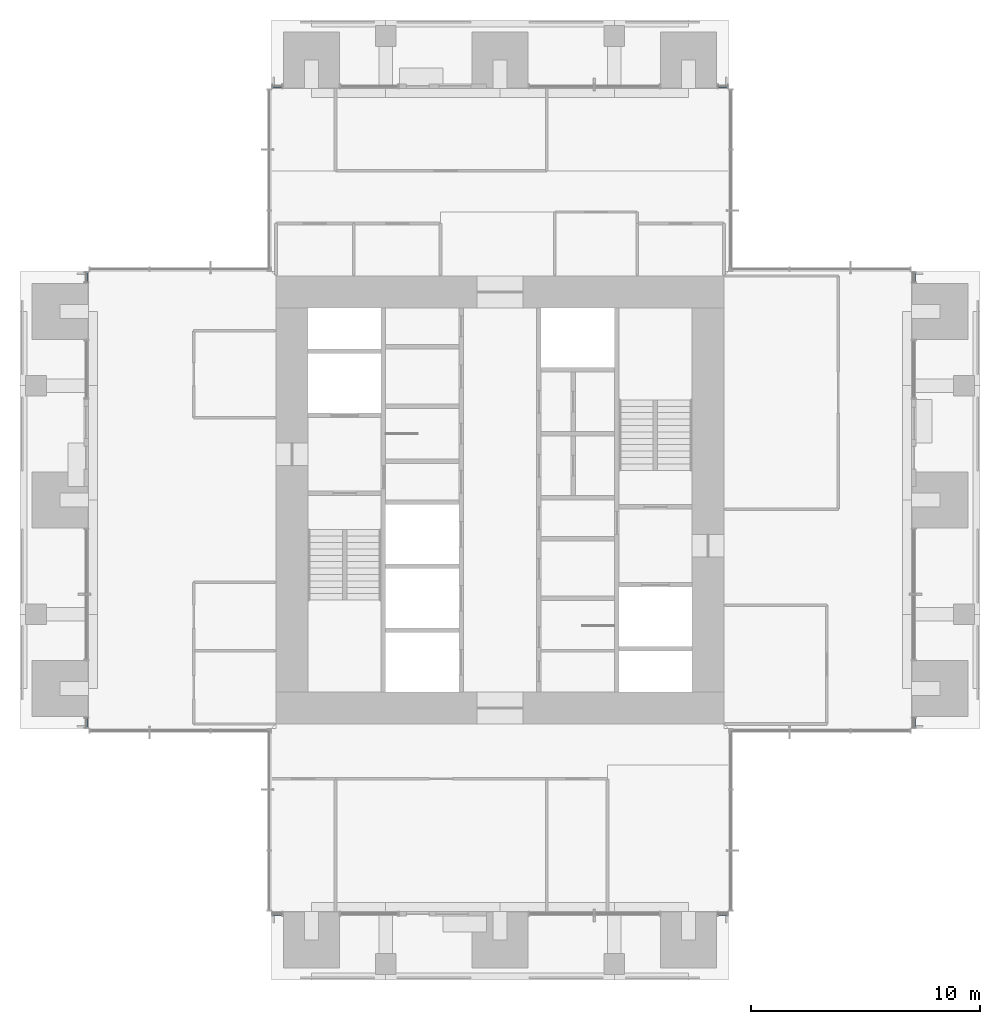
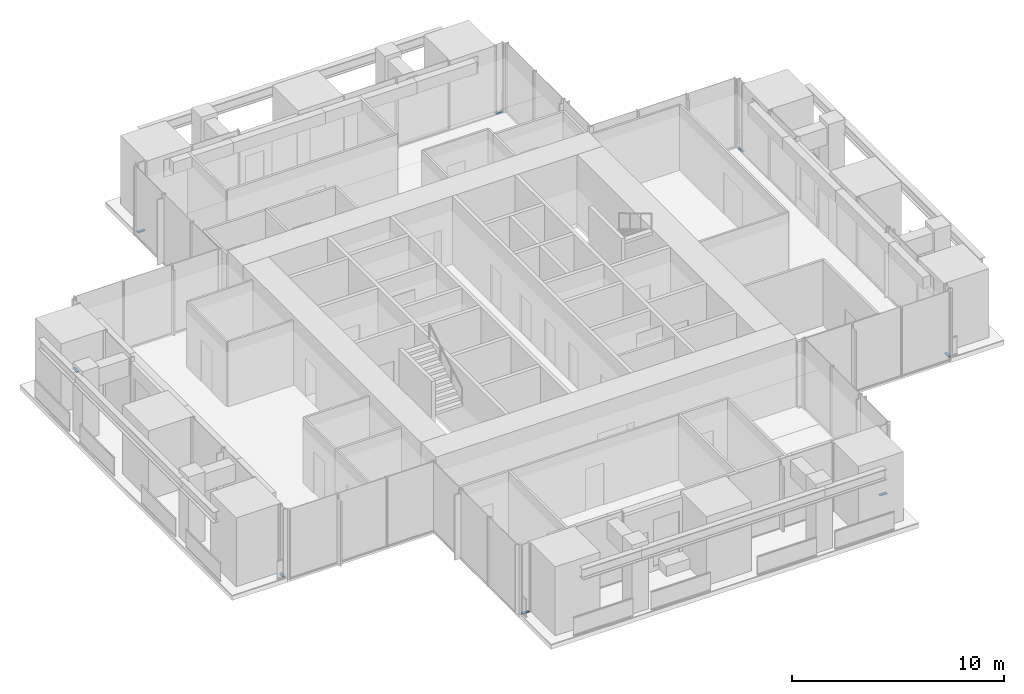
# One storey, part 6 of 17: 8 members, 8 elements without a shape of their own.
"""IFC4 building model written with IfcOpenShell, lengths in metres."""

from ifc_helpers import new_model, si_unit, direction, frame, origin, origin_2d, place, context, subcontext, project, spatial, rectangle, extrude, material, material_profile, profile_set, type_object, element, aggregate, save


model = new_model("IFC4")

# Units and contexts
model_context = context("Model", 3, precision=1e-05, world=origin(), true_north=direction((0.0, 1.0)))
body_context = subcontext(model_context, "Body", "Model", "MODEL_VIEW")
ifc_project = project(units=[si_unit("LENGTHUNIT", "METRE"), si_unit("AREAUNIT", "SQUARE_METRE"), si_unit("VOLUMEUNIT", "CUBIC_METRE"), si_unit("PLANEANGLEUNIT", "RADIAN"), si_unit("MASSUNIT", "GRAM", prefix="KILO")], contexts=[model_context])

# Site, building, storey
site_placement = place(None, origin())
site = spatial("IfcSite", under=ifc_project, at=site_placement, CompositionType="ELEMENT")
building_placement = place(site_placement, origin())
building = spatial("IfcBuilding", under=site, at=building_placement, Name="Svetlomir Tower", CompositionType="ELEMENT")
storey_placement = place(building_placement, frame((0.0, 0.0, 222.5)))
storey = spatial("IfcBuildingStorey", under=building, at=storey_placement, Name="L53", CompositionType="ELEMENT", Elevation=222.5)

# Curtain wall, member
ifc_material_1 = material(Name="Bronze anodised aluminium curtain wall", Category="aluminium")
curtain_wall_type = type_object("IfcCurtainWallType", Name="CURTAIN WALL CW1 TOWER OFFICE", PredefinedType="NOTDEFINED", material=ifc_material_1)
curtain_wall_1_placement = place(storey_placement, origin())
curtain_wall_1 = element("IfcCurtainWall", 1, at=curtain_wall_1_placement, inside=storey, type_object=curtain_wall_type, Name="Curtain wall CW1 L53", PredefinedType="NOTDEFINED")
ifc_material_2 = material(Name="Bronze anodised aluminium", Category="aluminium")
ifc_material_profile = material_profile(ifc_material_2, rectangle(XDim=0.139892578125, YDim=0.06494140625, at=origin_2d()), Name="AL 140x65")
ifc_profile_set = profile_set([ifc_material_profile], Name="Bronze anodised aluminium 6063-T6")
member_type = type_object("IfcMemberType", Name="CW1 TRANSOM 65x140", PredefinedType="USERDEFINED", material=ifc_profile_set)
member_1_placement = place(storey_placement, frame((11.06494140625, 2.89990234375, 0.032470703125), z_axis=(1.0, 0.0, 0.0), x_axis=(0.0, 1.0, 0.0)))
member_1 = element("IfcMember", 2, at=member_1_placement, type_object=member_type, Name="CW1 transom 1.1", ObjectType="TRANSOM", PredefinedType="USERDEFINED", context=body_context, shape_type="SweptSolid", body=[
    extrude(rectangle(XDim=0.139892578125, YDim=0.06494140625, at=origin_2d()), origin(), (0.0, 0.0, 1.0), 0.39501953125),
])
aggregate(curtain_wall_1, [member_1])

curtain_wall_2_placement = place(storey_placement, origin())
curtain_wall_2 = element("IfcCurtainWall", 3, at=curtain_wall_2_placement, inside=storey, type_object=curtain_wall_type, Name="Curtain wall CW1 L53", PredefinedType="NOTDEFINED")
member_2_placement = place(storey_placement, frame((30.5400390625, 2.89990234375, 0.032470703125), z_axis=(1.0, 0.0, 0.0), x_axis=(0.0, 1.0, 0.0)))
member_2 = element("IfcMember", 4, at=member_2_placement, type_object=member_type, Name="CW1 transom 1.1", ObjectType="TRANSOM", PredefinedType="USERDEFINED", context=body_context, shape_type="SweptSolid", body=[
    extrude(rectangle(XDim=0.139892578125, YDim=0.06494140625, at=origin_2d()), origin(), (0.0, 0.0, 1.0), 0.39501953125),
])
aggregate(curtain_wall_2, [member_2])

curtain_wall_3_placement = place(storey_placement, origin())
curtain_wall_3 = element("IfcCurtainWall", 5, at=curtain_wall_3_placement, inside=storey, type_object=curtain_wall_type, Name="Curtain wall CW1 L53", PredefinedType="NOTDEFINED")
member_3_placement = place(storey_placement, frame((39.10009765625, 11.06494140625, 0.032470703125), z_axis=(0.0, 1.0, 0.0), x_axis=(-1.0, 0.0, 0.0)))
member_3 = element("IfcMember", 6, at=member_3_placement, type_object=member_type, Name="CW1 transom 1.1", ObjectType="TRANSOM", PredefinedType="USERDEFINED", context=body_context, shape_type="SweptSolid", body=[
    extrude(rectangle(XDim=0.139892578125, YDim=0.06494140625, at=origin_2d()), origin(), (0.0, 0.0, 1.0), 0.39501953125),
])
aggregate(curtain_wall_3, [member_3])

curtain_wall_4_placement = place(storey_placement, origin())
curtain_wall_4 = element("IfcCurtainWall", 7, at=curtain_wall_4_placement, inside=storey, type_object=curtain_wall_type, Name="Curtain wall CW1 L53", PredefinedType="NOTDEFINED")
member_4_placement = place(storey_placement, frame((39.10009765625, 30.5400390625, 0.032470703125), z_axis=(0.0, 1.0, 0.0), x_axis=(-1.0, 0.0, 0.0)))
member_4 = element("IfcMember", 8, at=member_4_placement, type_object=member_type, Name="CW1 transom 1.1", ObjectType="TRANSOM", PredefinedType="USERDEFINED", context=body_context, shape_type="SweptSolid", body=[
    extrude(rectangle(XDim=0.139892578125, YDim=0.06494140625, at=origin_2d()), origin(), (0.0, 0.0, 1.0), 0.39501953125),
])
aggregate(curtain_wall_4, [member_4])

curtain_wall_5_placement = place(storey_placement, origin())
curtain_wall_5 = element("IfcCurtainWall", 9, at=curtain_wall_5_placement, inside=storey, type_object=curtain_wall_type, Name="Curtain wall CW1 L53", PredefinedType="NOTDEFINED")
member_5_placement = place(storey_placement, frame((30.93505859375, 39.10009765625, 0.032470703125), z_axis=(-1.0, 0.0, 0.0), x_axis=(0.0, -1.0, 0.0)))
member_5 = element("IfcMember", 10, at=member_5_placement, type_object=member_type, Name="CW1 transom 1.1", ObjectType="TRANSOM", PredefinedType="USERDEFINED", context=body_context, shape_type="SweptSolid", body=[
    extrude(rectangle(XDim=0.139892578125, YDim=0.06494140625, at=origin_2d()), origin(), (0.0, 0.0, 1.0), 0.39501953125),
])
aggregate(curtain_wall_5, [member_5])

curtain_wall_6_placement = place(storey_placement, origin())
curtain_wall_6 = element("IfcCurtainWall", 11, at=curtain_wall_6_placement, inside=storey, type_object=curtain_wall_type, Name="Curtain wall CW1 L53", PredefinedType="NOTDEFINED")
member_6_placement = place(storey_placement, frame((11.4599609375, 39.10009765625, 0.032470703125), z_axis=(-1.0, 0.0, 0.0), x_axis=(0.0, -1.0, 0.0)))
member_6 = element("IfcMember", 12, at=member_6_placement, type_object=member_type, Name="CW1 transom 1.1", ObjectType="TRANSOM", PredefinedType="USERDEFINED", context=body_context, shape_type="SweptSolid", body=[
    extrude(rectangle(XDim=0.139892578125, YDim=0.06494140625, at=origin_2d()), origin(), (0.0, 0.0, 1.0), 0.39501953125),
])
aggregate(curtain_wall_6, [member_6])

curtain_wall_7_placement = place(storey_placement, origin())
curtain_wall_7 = element("IfcCurtainWall", 13, at=curtain_wall_7_placement, inside=storey, type_object=curtain_wall_type, Name="Curtain wall CW1 L53", PredefinedType="NOTDEFINED")
member_7_placement = place(storey_placement, frame((2.89990234375, 30.93505859375, 0.032470703125), z_axis=(0.0, -1.0, 0.0), x_axis=(1.0, 0.0, 0.0)))
member_7 = element("IfcMember", 14, at=member_7_placement, type_object=member_type, Name="CW1 transom 1.1", ObjectType="TRANSOM", PredefinedType="USERDEFINED", context=body_context, shape_type="SweptSolid", body=[
    extrude(rectangle(XDim=0.139892578125, YDim=0.06494140625, at=origin_2d()), origin(), (0.0, 0.0, 1.0), 0.39501953125),
])
aggregate(curtain_wall_7, [member_7])

curtain_wall_8_placement = place(storey_placement, origin())
curtain_wall_8 = element("IfcCurtainWall", 15, at=curtain_wall_8_placement, inside=storey, type_object=curtain_wall_type, Name="Curtain wall CW1 L53", PredefinedType="NOTDEFINED")
member_8_placement = place(storey_placement, frame((2.89990234375, 11.4599609375, 0.032470703125), z_axis=(0.0, -1.0, 0.0), x_axis=(1.0, 0.0, 0.0)))
member_8 = element("IfcMember", 16, at=member_8_placement, type_object=member_type, Name="CW1 transom 1.1", ObjectType="TRANSOM", PredefinedType="USERDEFINED", context=body_context, shape_type="SweptSolid", body=[
    extrude(rectangle(XDim=0.139892578125, YDim=0.06494140625, at=origin_2d()), origin(), (0.0, 0.0, 1.0), 0.39501953125),
])
aggregate(curtain_wall_8, [member_8])

save(model, "model.ifc")
